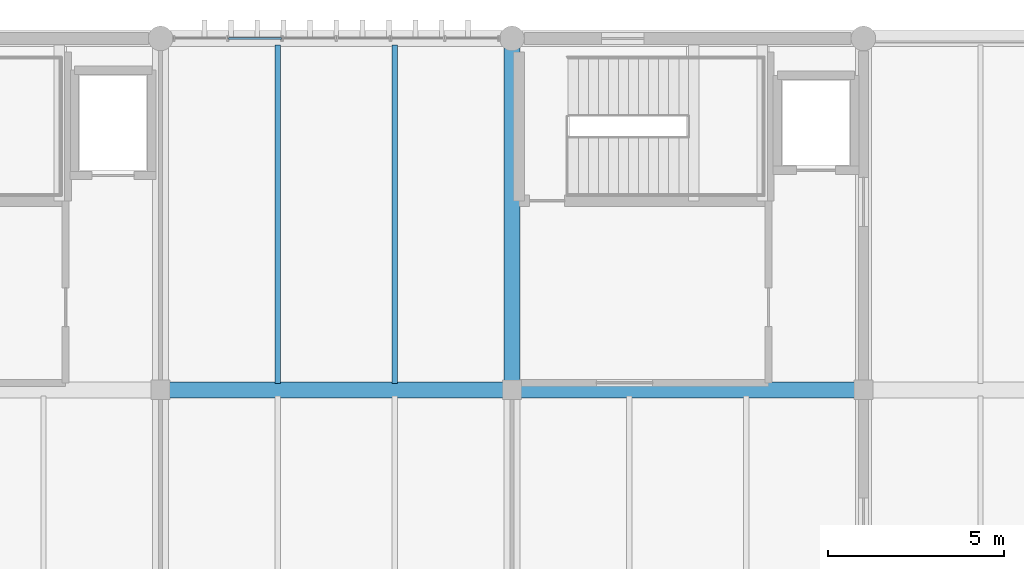
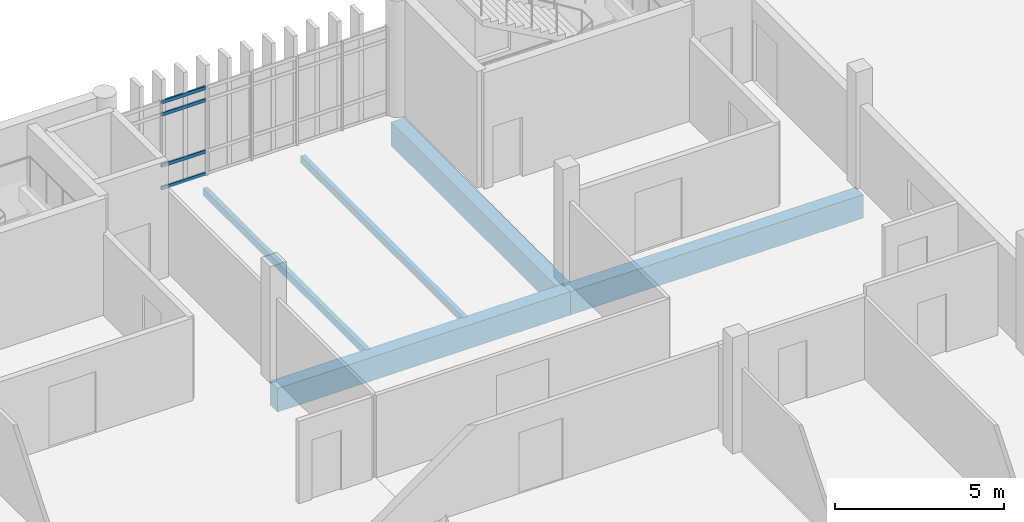
# One storey, part 17 of 29: 5 beams, 4 members, 1 element without a shape of its own.
"""IFC4 building model written with IfcOpenShell, lengths in metres."""

from ifc_helpers import new_model, si_unit, direction, frame, origin, origin_2d, place, context, subcontext, project, spatial, rectangle, hollow_rectangle, extrude, material, layer, layer_set, material_profile, profile_set, type_object, element, aggregate, save


model = new_model("IFC4")

# Units and contexts
model_context = context("Model", 3, precision=1e-05, world=origin(), true_north=direction((0.0, 1.0)))
body_context = subcontext(model_context, "Body", "Model", "MODEL_VIEW")
ifc_project = project(units=[si_unit("LENGTHUNIT", "METRE"), si_unit("AREAUNIT", "SQUARE_METRE"), si_unit("VOLUMEUNIT", "CUBIC_METRE"), si_unit("PLANEANGLEUNIT", "RADIAN"), si_unit("MASSUNIT", "GRAM", prefix="KILO")], contexts=[model_context])

# Site, building, storey
site_placement = place(None, origin())
site = spatial("IfcSite", under=ifc_project, at=site_placement, CompositionType="ELEMENT")
building_placement = place(site_placement, origin())
building = spatial("IfcBuilding", under=site, at=building_placement, Name="Mersad Railyard Sports Hall", CompositionType="ELEMENT")
storey_placement = place(building_placement, frame((0.0, 0.0, 17.39990234375)))
storey = spatial("IfcBuildingStorey", under=building, at=storey_placement, Name="L04", CompositionType="ELEMENT", Elevation=17.39990234375)

# Curtain wall, members
ifc_material_1 = material(Name="Aluminium 6063-T6", Category="aluminium")
ifc_layer = layer(ifc_material_1, 0.159912109375)
ifc_layer_set = layer_set([ifc_layer], Name="Aluminium 6063-T6")
curtain_wall_type = type_object("IfcCurtainWallType", Name="ARC-CW-CW63", PredefinedType="USERDEFINED", material=ifc_layer_set)
curtain_wall_placement = place(storey_placement, origin())
curtain_wall = element("IfcCurtainWall", 1, at=curtain_wall_placement, inside=storey, type_object=curtain_wall_type, Name="Curtain wall CW63-0164", ObjectType="CURTAIN WALL", PredefinedType="USERDEFINED")
ifc_material_profile_1 = material_profile(ifc_material_1, hollow_rectangle(XDim=0.06005859375, YDim=0.1201171875, WallThickness=0.00390625, at=origin_2d()), Name="AL TRANSOM 60x120x4")
ifc_profile_set_1 = profile_set([ifc_material_profile_1], Name="Aluminium 6063-T6")
member_type = type_object("IfcMemberType", Name="ARC-CW-TRN01", PredefinedType="USERDEFINED", material=ifc_profile_set_1)
member_1_placement = place(storey_placement, frame((102.933349609375, 115.0, 0.0400390625), z_axis=(1.0, 0.0, 0.0), x_axis=(0.0, 1.0, 0.0)))
member_1 = element("IfcMember", 2, at=member_1_placement, type_object=member_type, Name="CW63 Transom 1-2", ObjectType="TRANSOM", PredefinedType="USERDEFINED", context=body_context, shape_type="SweptSolid", body=[
    extrude(hollow_rectangle(XDim=0.06005859375, YDim=0.1201171875, WallThickness=0.00390625, at=origin_2d()), origin(), (0.0, 0.0, 1.0), 1.50341796875),
])
member_2_placement = place(storey_placement, frame((102.933349609375, 115.0, 0.85009765625), z_axis=(1.0, 0.0, 0.0), x_axis=(0.0, 1.0, 0.0)))
member_2 = element("IfcMember", 3, at=member_2_placement, type_object=member_type, Name="CW63 Transom 2-2", ObjectType="TRANSOM", PredefinedType="USERDEFINED", context=body_context, shape_type="SweptSolid", body=[
    extrude(hollow_rectangle(XDim=0.06005859375, YDim=0.1201171875, WallThickness=0.00390625, at=origin_2d()), origin(), (0.0, 0.0, 1.0), 1.50341796875),
])
member_3_placement = place(storey_placement, frame((102.933349609375, 115.0, 2.7001953125), z_axis=(1.0, 0.0, 0.0), x_axis=(0.0, 1.0, 0.0)))
member_3 = element("IfcMember", 4, at=member_3_placement, type_object=member_type, Name="CW63 Transom 3-2", ObjectType="TRANSOM", PredefinedType="USERDEFINED", context=body_context, shape_type="SweptSolid", body=[
    extrude(hollow_rectangle(XDim=0.06005859375, YDim=0.1201171875, WallThickness=0.00390625, at=origin_2d()), origin(), (0.0, 0.0, 1.0), 1.50341796875),
])
member_4_placement = place(storey_placement, frame((102.933349609375, 115.0, 3.14013671875), z_axis=(1.0, 0.0, 0.0), x_axis=(0.0, 1.0, 0.0)))
member_4 = element("IfcMember", 5, at=member_4_placement, type_object=member_type, Name="CW63 Transom 4-2", ObjectType="TRANSOM", PredefinedType="USERDEFINED", context=body_context, shape_type="SweptSolid", body=[
    extrude(hollow_rectangle(XDim=0.06005859375, YDim=0.1201171875, WallThickness=0.00390625, at=origin_2d()), origin(), (0.0, 0.0, 1.0), 1.50341796875),
])
aggregate(curtain_wall, [member_1, member_2, member_3, member_4])

# Beams
ifc_material_2 = material(Name="Concrete C40/50", Category="concrete")
ifc_material_profile_2 = material_profile(ifc_material_2, rectangle(XDim=0.449951171875, YDim=0.85009765625, at=origin_2d()), Name="RC 450x850")
ifc_profile_set_2 = profile_set([ifc_material_profile_2], Name="Concrete C40/50")
beam_type_1 = type_object("IfcBeamType", Name="STR-BM-B02", PredefinedType="BEAM", material=ifc_profile_set_2)
for number, where, z_axis, x_axis, name in (
    (6, (101.0, 105.0, -0.744873046875), (1.0, 0.0, 0.0), (0.0, 1.0, 0.0), "Beam B02-1332"),
    (7, (111.0, 105.0, -0.744873046875), (1.0, 0.0, 0.0), (0.0, 1.0, 0.0), "Beam B02-1333"),
    (8, (111.0, 105.0, -0.744873046875), (0.0, 1.0, 0.0), (-1.0, 0.0, 0.0), "Beam B02-1359"),
):
    element("IfcBeam", number, at=place(storey_placement, frame(where, z_axis=z_axis, x_axis=x_axis)), inside=storey, type_object=beam_type_1, Name=name, PredefinedType="BEAM", context=body_context, shape_type="SweptSolid", body=[
        extrude(rectangle(XDim=0.449951171875, YDim=0.85009765625, at=origin_2d()), origin(), (0.0, 0.0, 1.0), 10.0),
    ])
ifc_material_3 = material(Name="Steel S355", Category="steel")
ifc_material_profile_3 = material_profile(ifc_material_3, hollow_rectangle(XDim=0.14990234375, YDim=0.25, WallThickness=0.012451171875, at=origin_2d()), Name="RHS 250x150x12.5")
ifc_profile_set_3 = profile_set([ifc_material_profile_3], Name="Steel S355")
beam_type_2 = type_object("IfcBeamType", Name="STR-BM-SB05", PredefinedType="BEAM", material=ifc_profile_set_3)
for number, where, z_axis, x_axis, name in (
    (9, (104.3330078125, 105.179931640625, -0.44482421875), (0.0, 1.0, 0.0), (-1.0, 0.0, 0.0), "Beam SB05-1391"),
    (10, (107.6669921875, 105.179931640625, -0.44482421875), (0.0, 1.0, 0.0), (-1.0, 0.0, 0.0), "Beam SB05-1392"),
):
    element("IfcBeam", number, at=place(storey_placement, frame(where, z_axis=z_axis, x_axis=x_axis)), inside=storey, type_object=beam_type_2, Name=name, PredefinedType="BEAM", context=body_context, shape_type="SweptSolid", body=[
        extrude(hollow_rectangle(XDim=0.14990234375, YDim=0.25, WallThickness=0.012451171875, at=origin_2d()), origin(), (0.0, 0.0, 1.0), 9.64013671875),
    ])

save(model, "model.ifc")
